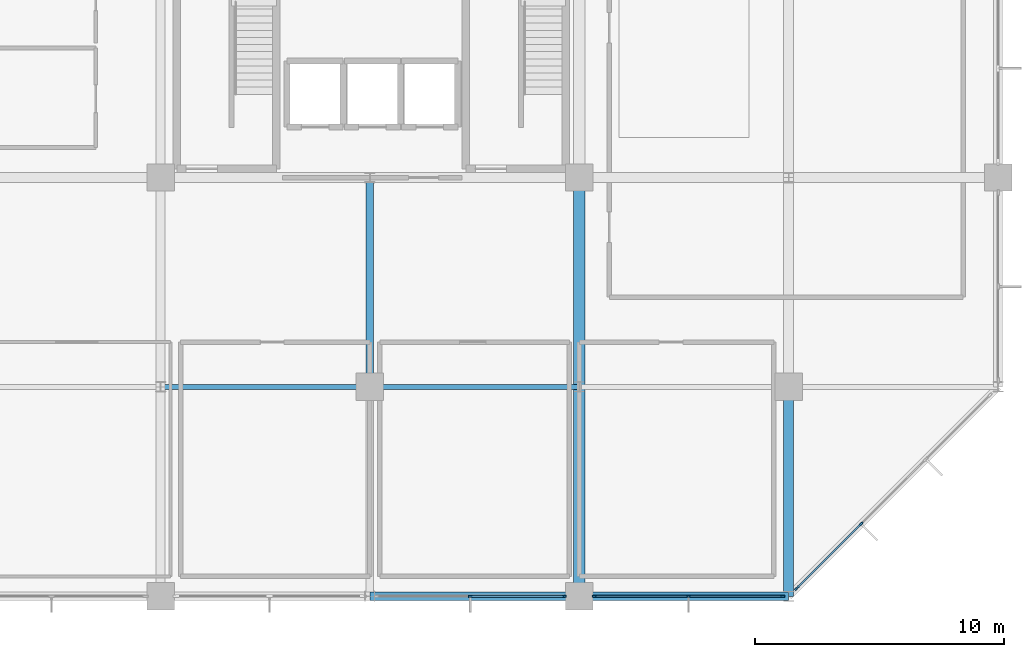
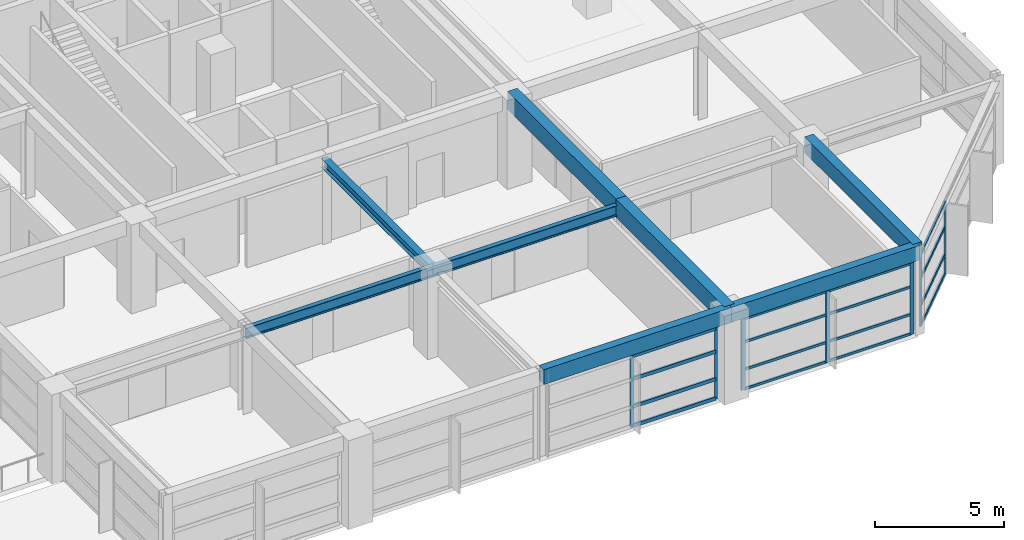
# One storey, part 20 of 34: 23 members, 8 beams, 3 elements without a shape of their own.
"""IFC4 building model written with IfcOpenShell, lengths in metres."""

from ifc_helpers import new_model, si_unit, direction, frame, origin, origin_2d, place, context, subcontext, project, spatial, rectangle, i_section, extrude, material, material_profile, profile_set, type_object, element, aggregate, save


model = new_model("IFC4")

# Units and contexts
model_context = context("Model", 3, precision=1e-05, world=origin(), true_north=direction((0.0, 1.0)))
body_context = subcontext(model_context, "Body", "Model", "MODEL_VIEW")
ifc_project = project(units=[si_unit("LENGTHUNIT", "METRE"), si_unit("AREAUNIT", "SQUARE_METRE"), si_unit("VOLUMEUNIT", "CUBIC_METRE"), si_unit("PLANEANGLEUNIT", "RADIAN"), si_unit("MASSUNIT", "GRAM", prefix="KILO")], contexts=[model_context])

# Site, building, storey
site_placement = place(None, origin())
site = spatial("IfcSite", under=ifc_project, at=site_placement, CompositionType="ELEMENT")
building_placement = place(site_placement, origin())
building = spatial("IfcBuilding", under=site, at=building_placement, Name="Xuanlan Plaza Opera House", CompositionType="ELEMENT")
storey_placement = place(building_placement, frame((0.0, 0.0, 27.89990234375)))
storey = spatial("IfcBuildingStorey", under=building, at=storey_placement, Name="L06", CompositionType="ELEMENT", Elevation=27.89990234375)

# Curtain wall, members
ifc_material_1 = material(Name="Anodised Aluminium 6063-T6 and Low-E Glass", Category="aluminium")
curtain_wall_type_1 = type_object("IfcCurtainWallType", Name="ENV-CW-CW-03", PredefinedType="USERDEFINED", material=ifc_material_1)
curtain_wall_1_placement = place(storey_placement, origin())
curtain_wall_1 = element("IfcCurtainWall", 1, at=curtain_wall_1_placement, inside=storey, type_object=curtain_wall_type_1, Name="Unitised Curtain Wall L06-003", ObjectType="UNITISED CURTAIN WALL", PredefinedType="USERDEFINED")
ifc_material_2 = material(Name="Anodised Aluminium 6063-T6", Category="aluminium")
ifc_material_profile_1 = material_profile(ifc_material_2, rectangle(XDim=0.06494140625, YDim=0.159912109375, at=origin_2d()), Name="ALU-M 65x160")
ifc_profile_set_1 = profile_set([ifc_material_profile_1], Name="Anodised Aluminium 6063-T6")
member_type_1 = type_object("IfcMemberType", Name="ENV-CWM-01", PredefinedType="MULLION", material=ifc_profile_set_1)
member_1_placement = place(storey_placement, frame((146.824951171875, 33.60009765625, 0.0), z_axis=(0.0, 0.0, 1.0), x_axis=(0.0, 1.0, 0.0)))
member_1 = element("IfcMember", 2, at=member_1_placement, type_object=member_type_1, Name="CW-03 mullion 2", PredefinedType="MULLION", context=body_context, shape_type="SweptSolid", body=[
    extrude(rectangle(XDim=0.06494140625, YDim=0.159912109375, at=origin_2d()), origin(), (0.0, 0.0, 1.0), 3.380126953125),
])
member_2_placement = place(storey_placement, frame((150.597412109375, 33.60009765625, 0.0), z_axis=(0.0, 0.0, 1.0), x_axis=(0.0, 1.0, 0.0)))
member_2 = element("IfcMember", 3, at=member_2_placement, type_object=member_type_1, Name="CW-03 mullion 3", PredefinedType="MULLION", context=body_context, shape_type="SweptSolid", body=[
    extrude(rectangle(XDim=0.06494140625, YDim=0.159912109375, at=origin_2d()), origin(), (0.0, 0.0, 1.0), 3.380126953125),
])

curtain_wall_type_2 = type_object("IfcCurtainWallType", Name="ENV-CW-CW-04", PredefinedType="USERDEFINED", material=ifc_material_1)
curtain_wall_2_placement = place(storey_placement, origin())
curtain_wall_2 = element("IfcCurtainWall", 4, at=curtain_wall_2_placement, inside=storey, type_object=curtain_wall_type_2, Name="Unitised Curtain Wall L06-004", ObjectType="UNITISED CURTAIN WALL", PredefinedType="USERDEFINED")
ifc_material_profile_2 = material_profile(ifc_material_2, rectangle(XDim=0.070068359375, YDim=0.179931640625, at=origin_2d()), Name="ALU-M 70x180")
ifc_profile_set_2 = profile_set([ifc_material_profile_2], Name="Anodised Aluminium 6063-T6")
member_type_2 = type_object("IfcMemberType", Name="ENV-CWM-02", PredefinedType="MULLION", material=ifc_profile_set_2)
member_3_placement = place(storey_placement, frame((151.804931640625, 33.60009765625, 0.0), z_axis=(0.0, 0.0, 1.0), x_axis=(0.0, 1.0, 0.0)))
member_3 = element("IfcMember", 5, at=member_3_placement, type_object=member_type_2, Name="CW-04 mullion 1", PredefinedType="MULLION", context=body_context, shape_type="SweptSolid", body=[
    extrude(rectangle(XDim=0.070068359375, YDim=0.179931640625, at=origin_2d()), origin(), (0.0, 0.0, 1.0), 3.380126953125),
])
member_4_placement = place(storey_placement, frame((155.574951171875, 33.60009765625, 0.0), z_axis=(0.0, 0.0, 1.0), x_axis=(0.0, 1.0, 0.0)))
member_4 = element("IfcMember", 6, at=member_4_placement, type_object=member_type_2, Name="CW-04 mullion 2", PredefinedType="MULLION", context=body_context, shape_type="SweptSolid", body=[
    extrude(rectangle(XDim=0.070068359375, YDim=0.179931640625, at=origin_2d()), origin(), (0.0, 0.0, 1.0), 3.380126953125),
])
member_5_placement = place(storey_placement, frame((159.344970703125, 33.60009765625, 0.0), z_axis=(0.0, 0.0, 1.0), x_axis=(0.0, 1.0, 0.0)))
member_5 = element("IfcMember", 7, at=member_5_placement, type_object=member_type_2, Name="CW-04 mullion 3", PredefinedType="MULLION", context=body_context, shape_type="SweptSolid", body=[
    extrude(rectangle(XDim=0.070068359375, YDim=0.179931640625, at=origin_2d()), origin(), (0.0, 0.0, 1.0), 3.380126953125),
])

curtain_wall_type_3 = type_object("IfcCurtainWallType", Name="ENV-CW-CW-01", PredefinedType="USERDEFINED", material=ifc_material_1)
curtain_wall_3_placement = place(storey_placement, origin())
curtain_wall_3 = element("IfcCurtainWall", 8, at=curtain_wall_3_placement, inside=storey, type_object=curtain_wall_type_3, Name="Unitised Curtain Wall L06-005", ObjectType="UNITISED CURTAIN WALL", PredefinedType="USERDEFINED")
ifc_material_profile_3 = material_profile(ifc_material_2, rectangle(XDim=0.074951171875, YDim=0.199951171875, at=origin_2d()), Name="ALU-M 75x200")
ifc_profile_set_3 = profile_set([ifc_material_profile_3], Name="Anodised Aluminium 6063-T6")
member_type_3 = type_object("IfcMemberType", Name="ENV-CWM-03", PredefinedType="MULLION", material=ifc_profile_set_3)
member_6_placement = place(storey_placement, frame((159.925537109375, 33.925537109375, 0.0), z_axis=(0.0, 0.0, 1.0), x_axis=(-0.707106781187, 0.707106781187, 0.0)))
member_6 = element("IfcMember", 9, at=member_6_placement, type_object=member_type_3, Name="CW-01 mullion 1", PredefinedType="MULLION", context=body_context, shape_type="SweptSolid", body=[
    extrude(rectangle(XDim=0.074951171875, YDim=0.199951171875, at=origin_2d()), origin(), (0.0, 0.0, 1.0), 3.380126953125),
])
member_7_placement = place(storey_placement, frame((162.499755859375, 36.499755859375, 0.0), z_axis=(0.0, 0.0, 1.0), x_axis=(-0.707106781187, 0.707106781187, 0.0)))
member_7 = element("IfcMember", 10, at=member_7_placement, type_object=member_type_3, Name="CW-01 mullion 2", PredefinedType="MULLION", context=body_context, shape_type="SweptSolid", body=[
    extrude(rectangle(XDim=0.074951171875, YDim=0.199951171875, at=origin_2d()), origin(), (0.0, 0.0, 1.0), 3.380126953125),
])

# Member
ifc_material_profile_4 = material_profile(ifc_material_2, rectangle(XDim=0.06494140625, YDim=0.1201171875, at=origin_2d()), Name="ALU-T 65x120")
ifc_profile_set_4 = profile_set([ifc_material_profile_4], Name="Anodised Aluminium 6063-T6")
member_type_4 = type_object("IfcMemberType", Name="ENV-CWT-01", PredefinedType="USERDEFINED", material=ifc_profile_set_4)
member_8_placement = place(storey_placement, frame((151.840087890625, 33.60009765625, 0.03271484375), z_axis=(1.0, 0.0, 0.0), x_axis=(0.0, 1.0, 0.0)))
member_8 = element("IfcMember", 11, at=member_8_placement, type_object=member_type_4, Name="CW-04 transom 1.1", ObjectType="TRANSOM", PredefinedType="USERDEFINED", context=body_context, shape_type="SweptSolid", body=[
    extrude(rectangle(XDim=0.06494140625, YDim=0.1201171875, at=origin_2d()), origin(), (0.0, 0.0, 1.0), 3.699951171875),
])

member_9_placement = place(storey_placement, frame((151.840087890625, 33.60009765625, 0.9501953125), z_axis=(1.0, 0.0, 0.0), x_axis=(0.0, 1.0, 0.0)))
member_9 = element("IfcMember", 12, at=member_9_placement, type_object=member_type_4, Name="CW-04 transom 1.2", ObjectType="TRANSOM", PredefinedType="USERDEFINED", context=body_context, shape_type="SweptSolid", body=[
    extrude(rectangle(XDim=0.06494140625, YDim=0.1201171875, at=origin_2d()), origin(), (0.0, 0.0, 1.0), 3.699951171875),
])

member_10_placement = place(storey_placement, frame((151.840087890625, 33.60009765625, 2.25), z_axis=(1.0, 0.0, 0.0), x_axis=(0.0, 1.0, 0.0)))
member_10 = element("IfcMember", 13, at=member_10_placement, type_object=member_type_4, Name="CW-04 transom 1.3", ObjectType="TRANSOM", PredefinedType="USERDEFINED", context=body_context, shape_type="SweptSolid", body=[
    extrude(rectangle(XDim=0.06494140625, YDim=0.1201171875, at=origin_2d()), origin(), (0.0, 0.0, 1.0), 3.699951171875),
])

member_11_placement = place(storey_placement, frame((151.840087890625, 33.60009765625, 3.34765625), z_axis=(1.0, 0.0, 0.0), x_axis=(0.0, 1.0, 0.0)))
member_11 = element("IfcMember", 14, at=member_11_placement, type_object=member_type_4, Name="CW-04 transom 1.4", ObjectType="TRANSOM", PredefinedType="USERDEFINED", context=body_context, shape_type="SweptSolid", body=[
    extrude(rectangle(XDim=0.06494140625, YDim=0.1201171875, at=origin_2d()), origin(), (0.0, 0.0, 1.0), 3.699951171875),
])

member_12_placement = place(storey_placement, frame((155.610107421875, 33.60009765625, 0.03271484375), z_axis=(1.0, 0.0, 0.0), x_axis=(0.0, 1.0, 0.0)))
member_12 = element("IfcMember", 15, at=member_12_placement, type_object=member_type_4, Name="CW-04 transom 2.1", ObjectType="TRANSOM", PredefinedType="USERDEFINED", context=body_context, shape_type="SweptSolid", body=[
    extrude(rectangle(XDim=0.06494140625, YDim=0.1201171875, at=origin_2d()), origin(), (0.0, 0.0, 1.0), 3.699951171875),
])

member_13_placement = place(storey_placement, frame((155.610107421875, 33.60009765625, 0.9501953125), z_axis=(1.0, 0.0, 0.0), x_axis=(0.0, 1.0, 0.0)))
member_13 = element("IfcMember", 16, at=member_13_placement, type_object=member_type_4, Name="CW-04 transom 2.2", ObjectType="TRANSOM", PredefinedType="USERDEFINED", context=body_context, shape_type="SweptSolid", body=[
    extrude(rectangle(XDim=0.06494140625, YDim=0.1201171875, at=origin_2d()), origin(), (0.0, 0.0, 1.0), 3.699951171875),
])

member_14_placement = place(storey_placement, frame((155.610107421875, 33.60009765625, 2.25), z_axis=(1.0, 0.0, 0.0), x_axis=(0.0, 1.0, 0.0)))
member_14 = element("IfcMember", 17, at=member_14_placement, type_object=member_type_4, Name="CW-04 transom 2.3", ObjectType="TRANSOM", PredefinedType="USERDEFINED", context=body_context, shape_type="SweptSolid", body=[
    extrude(rectangle(XDim=0.06494140625, YDim=0.1201171875, at=origin_2d()), origin(), (0.0, 0.0, 1.0), 3.699951171875),
])

member_15_placement = place(storey_placement, frame((155.610107421875, 33.60009765625, 3.34765625), z_axis=(1.0, 0.0, 0.0), x_axis=(0.0, 1.0, 0.0)))
member_15 = element("IfcMember", 18, at=member_15_placement, type_object=member_type_4, Name="CW-04 transom 2.4", ObjectType="TRANSOM", PredefinedType="USERDEFINED", context=body_context, shape_type="SweptSolid", body=[
    extrude(rectangle(XDim=0.06494140625, YDim=0.1201171875, at=origin_2d()), origin(), (0.0, 0.0, 1.0), 3.699951171875),
])

aggregate(curtain_wall_2, [member_3, member_4, member_5, member_8, member_9, member_10, member_11, member_12, member_13, member_14, member_15])

ifc_material_profile_5 = material_profile(ifc_material_2, rectangle(XDim=0.074951171875, YDim=0.14990234375, at=origin_2d()), Name="ALU-T 75x150")
ifc_profile_set_5 = profile_set([ifc_material_profile_5], Name="Anodised Aluminium 6063-T6")
member_type_5 = type_object("IfcMemberType", Name="ENV-CWT-03", PredefinedType="USERDEFINED", material=ifc_profile_set_5)
member_16_placement = place(storey_placement, frame((159.9521484375, 33.9521484375, 0.03759765625), z_axis=(0.707106781187, 0.707106781187, 0.0), x_axis=(-0.707106781187, 0.707106781187, 0.0)))
member_16 = element("IfcMember", 19, at=member_16_placement, type_object=member_type_5, Name="CW-01 transom 1.1", ObjectType="TRANSOM", PredefinedType="USERDEFINED", context=body_context, shape_type="SweptSolid", body=[
    extrude(rectangle(XDim=0.074951171875, YDim=0.14990234375, at=origin_2d()), origin(), (0.0, 0.0, 1.0), 3.565185546875),
])

member_17_placement = place(storey_placement, frame((159.9521484375, 33.9521484375, 0.9501953125), z_axis=(0.707106781187, 0.707106781187, 0.0), x_axis=(-0.707106781187, 0.707106781187, 0.0)))
member_17 = element("IfcMember", 20, at=member_17_placement, type_object=member_type_5, Name="CW-01 transom 1.2", ObjectType="TRANSOM", PredefinedType="USERDEFINED", context=body_context, shape_type="SweptSolid", body=[
    extrude(rectangle(XDim=0.074951171875, YDim=0.14990234375, at=origin_2d()), origin(), (0.0, 0.0, 1.0), 3.565185546875),
])

member_18_placement = place(storey_placement, frame((159.9521484375, 33.9521484375, 2.25), z_axis=(0.707106781187, 0.707106781187, 0.0), x_axis=(-0.707106781187, 0.707106781187, 0.0)))
member_18 = element("IfcMember", 21, at=member_18_placement, type_object=member_type_5, Name="CW-01 transom 1.3", ObjectType="TRANSOM", PredefinedType="USERDEFINED", context=body_context, shape_type="SweptSolid", body=[
    extrude(rectangle(XDim=0.074951171875, YDim=0.14990234375, at=origin_2d()), origin(), (0.0, 0.0, 1.0), 3.565185546875),
])

member_19_placement = place(storey_placement, frame((159.9521484375, 33.9521484375, 3.342529296875), z_axis=(0.707106781187, 0.707106781187, 0.0), x_axis=(-0.707106781187, 0.707106781187, 0.0)))
member_19 = element("IfcMember", 22, at=member_19_placement, type_object=member_type_5, Name="CW-01 transom 1.4", ObjectType="TRANSOM", PredefinedType="USERDEFINED", context=body_context, shape_type="SweptSolid", body=[
    extrude(rectangle(XDim=0.074951171875, YDim=0.14990234375, at=origin_2d()), origin(), (0.0, 0.0, 1.0), 3.565185546875),
])

aggregate(curtain_wall_3, [member_6, member_7, member_16, member_17, member_18, member_19])

ifc_material_profile_6 = material_profile(ifc_material_2, rectangle(XDim=0.080078125, YDim=0.1650390625, at=origin_2d()), Name="ALU-T 80x165")
ifc_profile_set_6 = profile_set([ifc_material_profile_6], Name="Anodised Aluminium 6063-T6")
member_type_6 = type_object("IfcMemberType", Name="ENV-CWT-04", PredefinedType="USERDEFINED", material=ifc_profile_set_6)
member_20_placement = place(storey_placement, frame((146.857421875, 33.60009765625, 0.0400390625), z_axis=(1.0, 0.0, 0.0), x_axis=(0.0, 1.0, 0.0)))
member_20 = element("IfcMember", 23, at=member_20_placement, type_object=member_type_6, Name="CW-03 transom 2.1", ObjectType="TRANSOM", PredefinedType="USERDEFINED", context=body_context, shape_type="SweptSolid", body=[
    extrude(rectangle(XDim=0.080078125, YDim=0.1650390625, at=origin_2d()), origin(), (0.0, 0.0, 1.0), 3.70751953125),
])

member_21_placement = place(storey_placement, frame((146.857421875, 33.60009765625, 0.9501953125), z_axis=(1.0, 0.0, 0.0), x_axis=(0.0, 1.0, 0.0)))
member_21 = element("IfcMember", 24, at=member_21_placement, type_object=member_type_6, Name="CW-03 transom 2.2", ObjectType="TRANSOM", PredefinedType="USERDEFINED", context=body_context, shape_type="SweptSolid", body=[
    extrude(rectangle(XDim=0.080078125, YDim=0.1650390625, at=origin_2d()), origin(), (0.0, 0.0, 1.0), 3.70751953125),
])

member_22_placement = place(storey_placement, frame((146.857421875, 33.60009765625, 2.25), z_axis=(1.0, 0.0, 0.0), x_axis=(0.0, 1.0, 0.0)))
member_22 = element("IfcMember", 25, at=member_22_placement, type_object=member_type_6, Name="CW-03 transom 2.3", ObjectType="TRANSOM", PredefinedType="USERDEFINED", context=body_context, shape_type="SweptSolid", body=[
    extrude(rectangle(XDim=0.080078125, YDim=0.1650390625, at=origin_2d()), origin(), (0.0, 0.0, 1.0), 3.70751953125),
])

member_23_placement = place(storey_placement, frame((146.857421875, 33.60009765625, 3.340087890625), z_axis=(1.0, 0.0, 0.0), x_axis=(0.0, 1.0, 0.0)))
member_23 = element("IfcMember", 26, at=member_23_placement, type_object=member_type_6, Name="CW-03 transom 2.4", ObjectType="TRANSOM", PredefinedType="USERDEFINED", context=body_context, shape_type="SweptSolid", body=[
    extrude(rectangle(XDim=0.080078125, YDim=0.1650390625, at=origin_2d()), origin(), (0.0, 0.0, 1.0), 3.70751953125),
])

aggregate(curtain_wall_1, [member_1, member_2, member_20, member_21, member_22, member_23])

# Beams
ifc_material_3 = material(Name="Concrete C40", Category="concrete")
ifc_material_profile_7 = material_profile(ifc_material_3, rectangle(XDim=0.449951171875, YDim=0.85009765625, at=origin_2d()), Name="RC-BM 450x850")
ifc_profile_set_7 = profile_set([ifc_material_profile_7], Name="Concrete C40")
beam_type_1 = type_object("IfcBeamType", Name="STR-BM-B-04", PredefinedType="BEAM", material=ifc_profile_set_7)
for number, where, z_axis, x_axis, name in (
    (27, (151.199951171875, 33.60009765625, 3.775146484375), (0.0, 1.0, 0.0), (-1.0, 0.0, 0.0), "Grid Beam Y L06 19/E-F"),
    (28, (151.199951171875, 42.0, 3.775146484375), (0.0, 1.0, 0.0), (-1.0, 0.0, 0.0), "Grid Beam Y L06 19/F-G"),
):
    element("IfcBeam", number, at=place(storey_placement, frame(where, z_axis=z_axis, x_axis=x_axis)), inside=storey, type_object=beam_type_1, Name=name, PredefinedType="BEAM", context=body_context, shape_type="SweptSolid", body=[
        extrude(rectangle(XDim=0.449951171875, YDim=0.85009765625, at=origin_2d()), origin(), (0.0, 0.0, 1.0), 8.39990234375),
    ])
ifc_material_profile_8 = material_profile(ifc_material_3, rectangle(XDim=0.39990234375, YDim=0.75, at=origin_2d()), Name="RC-BM 400x750")
ifc_profile_set_8 = profile_set([ifc_material_profile_8], Name="Concrete C40")
beam_type_2 = type_object("IfcBeamType", Name="STR-BM-B-06", PredefinedType="BEAM", material=ifc_profile_set_8)
beam_1_placement = place(storey_placement, frame((159.60009765625, 33.60009765625, 3.8251953125), z_axis=(0.0, 1.0, 0.0), x_axis=(-1.0, 0.0, 0.0)))
element("IfcBeam", 29, at=beam_1_placement, inside=storey, type_object=beam_type_2, Name="Grid Beam Y L06 20/E-F", PredefinedType="BEAM", context=body_context, shape_type="SweptSolid", body=[
    extrude(rectangle(XDim=0.39990234375, YDim=0.75, at=origin_2d()), origin(), (0.0, 0.0, 1.0), 8.39990234375),
])
ifc_material_4 = material(Name="Steel Q355B", Category="steel")
ifc_material_profile_9 = material_profile(ifc_material_4, i_section(OverallWidth=0.199951171875, OverallDepth=0.5, WebThickness=0.010009765625, FlangeThickness=0.01611328125, FilletRadius=0.02001953125, at=origin_2d()), Name="HN 500x200x10x16")
ifc_profile_set_9 = profile_set([ifc_material_profile_9], Name="Steel Q355B")
beam_type_3 = type_object("IfcBeamType", Name="STR-BM-SB-05", PredefinedType="BEAM", material=ifc_profile_set_9)
beam_2_placement = place(storey_placement, frame((134.39990234375, 42.0, 3.705078125), z_axis=(1.0, 0.0, 0.0), x_axis=(0.0, 1.0, 0.0)))
element("IfcBeam", 30, at=beam_2_placement, inside=storey, type_object=beam_type_3, Name="Grid Beam X L06 17-18/F", PredefinedType="BEAM", context=body_context, shape_type="SweptSolid", body=[
    extrude(i_section(OverallWidth=0.199951171875, OverallDepth=0.5, WebThickness=0.010009765625, FlangeThickness=0.01611328125, FilletRadius=0.02001953125, at=origin_2d()), origin(), (0.0, 0.0, 1.0), 8.400146484375),
])
beam_3_placement = place(storey_placement, frame((142.800048828125, 42.0, 3.705078125), z_axis=(1.0, 0.0, 0.0), x_axis=(0.0, 1.0, 0.0)))
element("IfcBeam", 31, at=beam_3_placement, inside=storey, type_object=beam_type_3, Name="Grid Beam X L06 18-19/F", PredefinedType="BEAM", context=body_context, shape_type="SweptSolid", body=[
    extrude(i_section(OverallWidth=0.199951171875, OverallDepth=0.5, WebThickness=0.010009765625, FlangeThickness=0.01611328125, FilletRadius=0.02001953125, at=origin_2d()), origin(), (0.0, 0.0, 1.0), 8.39990234375),
])
ifc_material_profile_10 = material_profile(ifc_material_4, i_section(OverallWidth=0.300048828125, OverallDepth=0.43994140625, WebThickness=0.010986328125, FlangeThickness=0.01806640625, FilletRadius=0.02001953125, at=origin_2d()), Name="HM 440x300x11x18")
ifc_profile_set_10 = profile_set([ifc_material_profile_10], Name="Steel Q355B")
beam_type_4 = type_object("IfcBeamType", Name="STR-BM-SB-08", PredefinedType="BEAM", material=ifc_profile_set_10)
beam_4_placement = place(storey_placement, frame((142.800048828125, 42.0, 3.735107421875), z_axis=(0.0, 1.0, 0.0), x_axis=(-1.0, 0.0, 0.0)))
element("IfcBeam", 32, at=beam_4_placement, inside=storey, type_object=beam_type_4, Name="Grid Beam Y L06 18/F-G", PredefinedType="BEAM", context=body_context, shape_type="SweptSolid", body=[
    extrude(i_section(OverallWidth=0.300048828125, OverallDepth=0.43994140625, WebThickness=0.010986328125, FlangeThickness=0.01806640625, FilletRadius=0.02001953125, at=origin_2d()), origin(), (0.0, 0.0, 1.0), 8.39990234375),
])
ifc_material_profile_11 = material_profile(ifc_material_3, rectangle(XDim=0.35009765625, YDim=0.699951171875, at=origin_2d()), Name="RC-SPD 350x700")
ifc_profile_set_11 = profile_set([ifc_material_profile_11], Name="Concrete C40")
beam_type_5 = type_object("IfcBeamType", Name="STR-BM-SP-02", PredefinedType="SPANDREL", material=ifc_profile_set_11)
beam_5_placement = place(storey_placement, frame((142.800048828125, 33.60009765625, 3.85009765625), z_axis=(1.0, 0.0, 0.0), x_axis=(0.0, 1.0, 0.0)))
element("IfcBeam", 33, at=beam_5_placement, inside=storey, type_object=beam_type_5, Name="Grid Beam X L06 18-19/E", PredefinedType="SPANDREL", context=body_context, shape_type="SweptSolid", body=[
    extrude(rectangle(XDim=0.35009765625, YDim=0.699951171875, at=origin_2d()), origin(), (0.0, 0.0, 1.0), 8.39990234375),
])
beam_6_placement = place(storey_placement, frame((151.199951171875, 33.60009765625, 3.85009765625), z_axis=(1.0, 0.0, 0.0), x_axis=(0.0, 1.0, 0.0)))
element("IfcBeam", 34, at=beam_6_placement, inside=storey, type_object=beam_type_5, Name="Grid Beam X L06 19-20/E", PredefinedType="SPANDREL", context=body_context, shape_type="SweptSolid", body=[
    extrude(rectangle(XDim=0.35009765625, YDim=0.699951171875, at=origin_2d()), origin(), (0.0, 0.0, 1.0), 8.400146484375),
])

save(model, "model.ifc")
